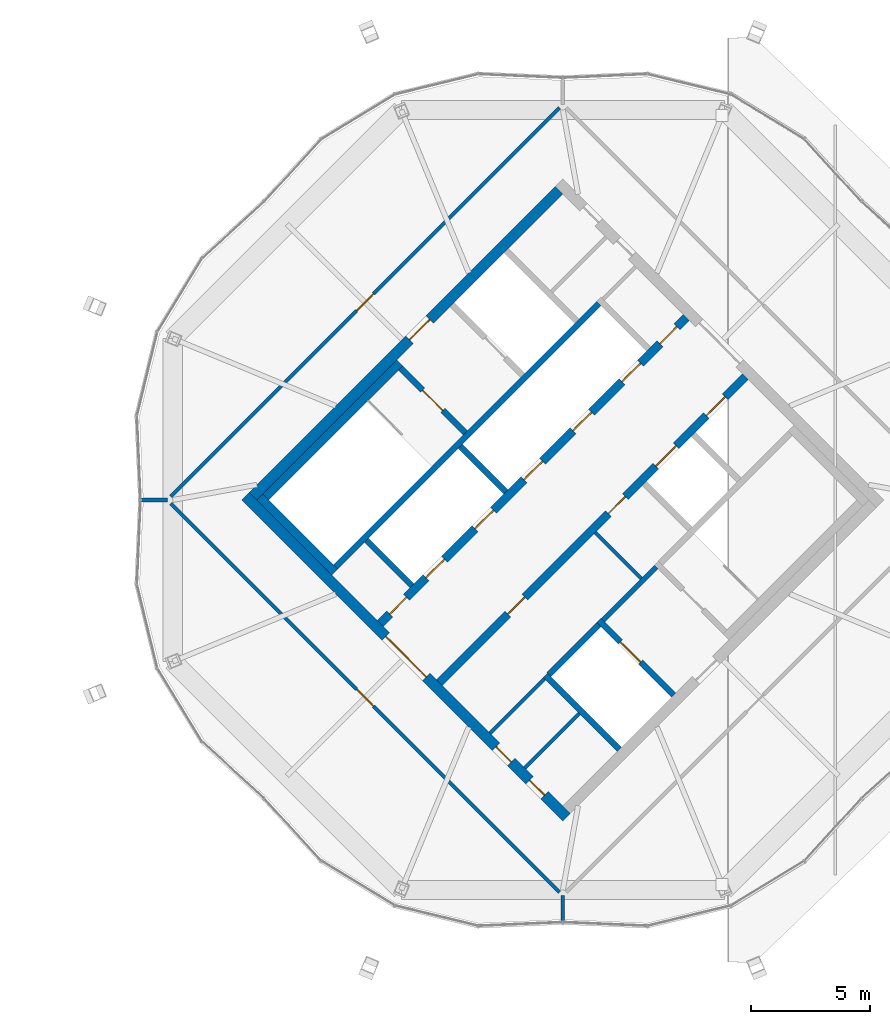
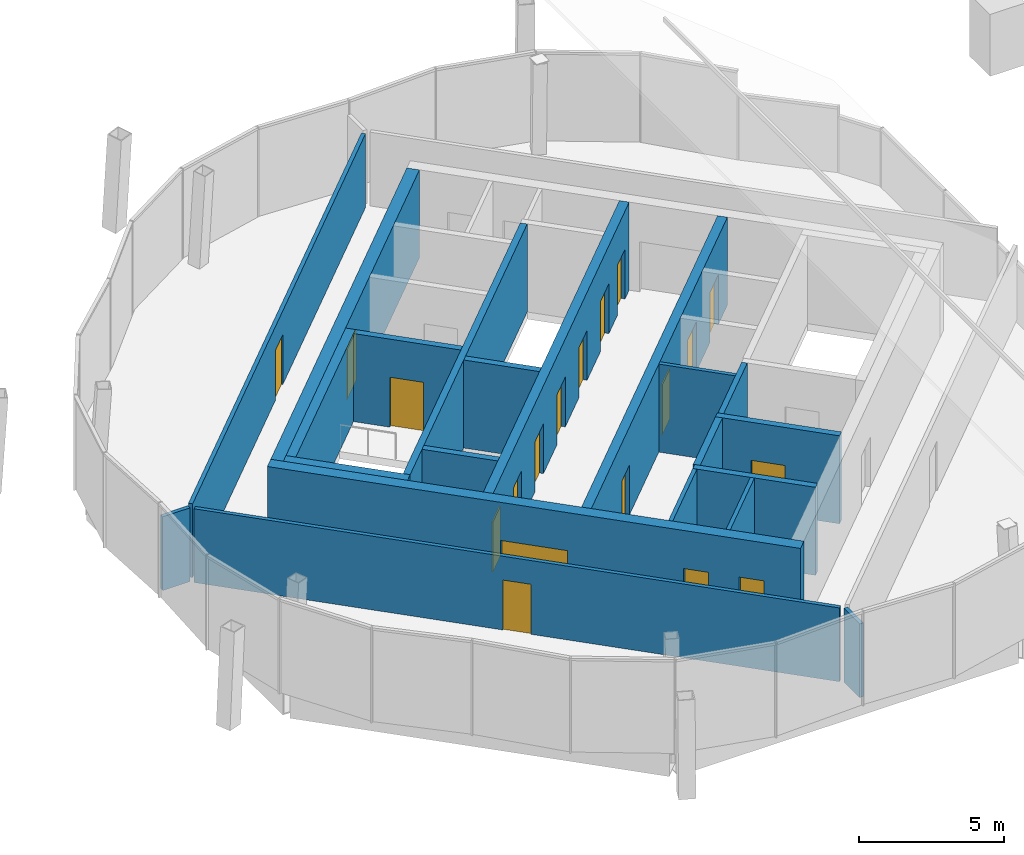
# One storey, part 21 of 23: 21 walls, 19 doors, 19 openings.
"""IFC4 building model written with IfcOpenShell, lengths in metres."""

from ifc_helpers import new_model, si_unit, direction, frame, frame_2d, origin, place, context, subcontext, project, spatial, rectangle, extrude, material, layer, layer_set, type_object, element, fill, save


model = new_model("IFC4")

# Units and contexts
model_context = context("Model", 3, precision=1e-05, world=origin(), true_north=direction((0.0, 1.0)))
body_context = subcontext(model_context, "Body", "Model", "MODEL_VIEW")
ifc_project = project(units=[si_unit("LENGTHUNIT", "METRE"), si_unit("AREAUNIT", "SQUARE_METRE"), si_unit("VOLUMEUNIT", "CUBIC_METRE"), si_unit("PLANEANGLEUNIT", "RADIAN"), si_unit("MASSUNIT", "GRAM", prefix="KILO")], contexts=[model_context])

# Site, building, storey
site_placement = place(None, origin())
site = spatial("IfcSite", under=ifc_project, at=site_placement, CompositionType="ELEMENT")
building_placement = place(site_placement, origin())
building = spatial("IfcBuilding", under=site, at=building_placement, Name="Ogive Gate Towers", CompositionType="ELEMENT")
storey_placement = place(building_placement, frame((0.0, 0.0, 302.0)))
storey = spatial("IfcBuildingStorey", under=building, at=storey_placement, Name="L71", CompositionType="ELEMENT", Elevation=302.0)

# Wall
ifc_material_1 = material(Name="Masonry blockwork", Category="masonry")
ifc_layer_1 = layer(ifc_material_1, 0.199951171875)
ifc_layer_set_1 = layer_set([ifc_layer_1], Name="Blockwork wall 200 mm")
wall_type_1 = type_object("IfcWallType", Name="Blockwork wall 200 mm", PredefinedType="PARTITIONING", material=ifc_layer_set_1)
wall_1_placement = place(storey_placement, frame((37.679443359375, -5.0380859375, 0.0), z_axis=(0.0, 0.0, 1.0), x_axis=(0.707106781187, 0.707106781187, 0.0)))
element("IfcWall", 1, at=wall_1_placement, inside=storey, type_object=wall_type_1, Name="T2 L71 Blockwork wall 200 mm", PredefinedType="PARTITIONING", context=body_context, shape_type="SweptSolid", body=[
    extrude(rectangle(XDim=3.14990234375, YDim=0.199951171875, at=frame_2d((1.574951171875, 0.0))), origin(), (0.0, 0.0, 1.0), 3.699951171875),
])

# Wall, opening, door
ifc_material_2 = material(Name="Concrete C60/75", Category="concrete")
ifc_layer_2 = layer(ifc_material_2, 0.449951171875)
ifc_layer_set_2 = layer_set([ifc_layer_2], Name="Core wall 450 mm")
wall_type_2 = type_object("IfcWallType", Name="Core wall 450 mm", PredefinedType="SHEAR", material=ifc_layer_set_2)
wall_2_placement = place(storey_placement, frame((23.042236328125, 0.1591796875, 0.0), z_axis=(0.0, 0.0, 1.0), x_axis=(0.707106781187, 0.707106781187, 0.0)))
wall_2 = element("IfcWall", 2, at=wall_2_placement, inside=storey, type_object=wall_type_2, Name="T2 L71 Core wall 450 mm", PredefinedType="SHEAR", context=body_context, shape_type="SweptSolid", body=[
    extrude(rectangle(XDim=18.099853515625, YDim=0.449951171875, at=frame_2d((9.0498046875, 0.0))), origin(), (0.0, 0.0, 1.0), 3.699951171875),
])
opening_1_placement = place(wall_2_placement, frame((9.25, 0.0, 0.0)))
opening_1 = element("IfcOpeningElement", 3, at=opening_1_placement, cuts=wall_2, Name="Opening KD-T2-L71-18", PredefinedType="OPENING", context=body_context, shape_type="SweptSolid", body=[
    extrude(rectangle(XDim=1.199951171875, YDim=2.10009765625, at=frame_2d((0.60009765625, 1.050048828125))), frame((0.0, 0.23486328125, 0.0), z_axis=(0.0, -1.0, 0.0), x_axis=(1.0, 0.0, 0.0)), (0.0, 0.0, 1.0), 0.469970703125),
])
ifc_material_3 = material(Name="Steel fire door", Category="steel")
door_type_1 = type_object("IfcDoorType", Name="Core door FD60S 1200 x 2100", OperationType="NOTDEFINED", PredefinedType="DOOR", material=ifc_material_3)
door_1_placement = place(opening_1_placement, origin())
door_1 = element("IfcDoor", 4, at=door_1_placement, inside=storey, type_object=door_type_1, Name="T2 L71 Fire-fighting lobby door", OperationType="SINGLE_SWING_LEFT", OverallHeight=2.10009765625, OverallWidth=1.199951171875, PredefinedType="DOOR", context=body_context, shape_type="SweptSolid", body=[
    extrude(rectangle(XDim=1.199951171875, YDim=2.10009765625, at=frame_2d((0.60009765625, 1.050048828125))), frame((0.0, 0.02490234375, 0.0), z_axis=(0.0, -1.0, 0.0), x_axis=(1.0, 0.0, 0.0)), (0.0, 0.0, 1.0), 0.050048828125),
])
fill(opening_1, door_1)

# Wall, openings, doors
wall_3_placement = place(storey_placement, frame((36.1591796875, -13.27587890625, 0.0), z_axis=(0.0, 0.0, 1.0), x_axis=(-0.707106781187, 0.707106781187, 0.0)))
wall_3 = element("IfcWall", 5, at=wall_3_placement, inside=storey, type_object=wall_type_2, Name="T2 L71 Core wall 450 mm", PredefinedType="SHEAR", context=body_context, shape_type="SweptSolid", body=[
    extrude(rectangle(XDim=19.0, YDim=0.449951171875, at=frame_2d((9.5, 0.0))), origin(), (0.0, 0.0, 1.0), 3.699951171875),
])
opening_2_placement = place(wall_3_placement, frame((8.300048828125, 0.0, 0.0)))
opening_2 = element("IfcOpeningElement", 6, at=opening_2_placement, cuts=wall_3, Name="Opening KD-T2-L71-01", PredefinedType="OPENING", context=body_context, shape_type="SweptSolid", body=[
    extrude(rectangle(XDim=2.39990234375, YDim=2.10009765625, at=frame_2d((1.199951171875, 1.050048828125))), frame((0.0, 0.23486328125, 0.0), z_axis=(0.0, -1.0, 0.0), x_axis=(1.0, 0.0, 0.0)), (0.0, 0.0, 1.0), 0.469970703125),
])
opening_3_placement = place(wall_3_placement, frame((1.300048828125, 0.0, 0.0)))
opening_3 = element("IfcOpeningElement", 7, at=opening_3_placement, cuts=wall_3, Name="Opening KD-T2-L71-22", PredefinedType="OPENING", context=body_context, shape_type="SweptSolid", body=[
    extrude(rectangle(XDim=0.89990234375, YDim=2.10009765625, at=frame_2d((0.449951171875, 1.050048828125))), frame((0.0, 0.23486328125, 0.0), z_axis=(0.0, -1.0, 0.0), x_axis=(1.0, 0.0, 0.0)), (0.0, 0.0, 1.0), 0.469970703125),
])
opening_4_placement = place(wall_3_placement, frame((3.27490234375, 0.0, 0.0)))
opening_4 = element("IfcOpeningElement", 8, at=opening_4_placement, cuts=wall_3, Name="Opening KD-T2-L71-23", PredefinedType="OPENING", context=body_context, shape_type="SweptSolid", body=[
    extrude(rectangle(XDim=0.89990234375, YDim=2.10009765625, at=frame_2d((0.449951171875, 1.050048828125))), frame((0.0, 0.23486328125, 0.0), z_axis=(0.0, -1.0, 0.0), x_axis=(1.0, 0.0, 0.0)), (0.0, 0.0, 1.0), 0.469970703125),
])
door_type_2 = type_object("IfcDoorType", Name="Core door FD60S 900 x 2100", OperationType="NOTDEFINED", PredefinedType="DOOR", material=ifc_material_3)
door_2_placement = place(opening_3_placement, origin())
door_2 = element("IfcDoor", 9, at=door_2_placement, inside=storey, type_object=door_type_2, Name="T2 L71 Core door", OperationType="SINGLE_SWING_LEFT", OverallHeight=2.10009765625, OverallWidth=0.89990234375, PredefinedType="DOOR", context=body_context, shape_type="SweptSolid", body=[
    extrude(rectangle(XDim=0.89990234375, YDim=2.10009765625, at=frame_2d((0.449951171875, 1.050048828125))), frame((0.0, 0.02490234375, 0.0), z_axis=(0.0, -1.0, 0.0), x_axis=(1.0, 0.0, 0.0)), (0.0, 0.0, 1.0), 0.050048828125),
])
fill(opening_3, door_2)
door_3_placement = place(opening_4_placement, origin())
door_3 = element("IfcDoor", 10, at=door_3_placement, inside=storey, type_object=door_type_2, Name="T2 L71 Core door", OperationType="SINGLE_SWING_RIGHT", OverallHeight=2.10009765625, OverallWidth=0.89990234375, PredefinedType="DOOR", context=body_context, shape_type="SweptSolid", body=[
    extrude(rectangle(XDim=0.89990234375, YDim=2.10009765625, at=frame_2d((0.449951171875, 1.050048828125))), frame((0.0, 0.02490234375, 0.0), z_axis=(0.0, -1.0, 0.0), x_axis=(1.0, 0.0, 0.0)), (0.0, 0.0, 1.0), 0.050048828125),
])
fill(opening_4, door_3)
door_type_3 = type_object("IfcDoorType", Name="Core double door FD60S 2400 x 2100", OperationType="DOUBLE_DOOR_SINGLE_SWING", PredefinedType="DOOR", material=ifc_material_3)
door_4_placement = place(opening_2_placement, origin())
door_4 = element("IfcDoor", 11, at=door_4_placement, inside=storey, type_object=door_type_3, Name="T2 L71 Core door double", OperationType="DOUBLE_DOOR_SINGLE_SWING", OverallHeight=2.10009765625, OverallWidth=2.39990234375, PredefinedType="DOOR", context=body_context, shape_type="SweptSolid", body=[
    extrude(rectangle(XDim=2.39990234375, YDim=2.10009765625, at=frame_2d((1.199951171875, 1.050048828125))), frame((0.0, 0.02490234375, 0.0), z_axis=(0.0, -1.0, 0.0), x_axis=(1.0, 0.0, 0.0)), (0.0, 0.0, 1.0), 0.050048828125),
])
fill(opening_2, door_4)

# Wall
ifc_material_4 = material(Name="Fire-rated gypsum board partition")
ifc_layer_3 = layer(ifc_material_4, 0.14990234375)
ifc_layer_set_3 = layer_set([ifc_layer_3], Name="Partition wall 150")
wall_type_3 = type_object("IfcWallType", Name="Partition wall 150", PredefinedType="PARTITIONING", material=ifc_layer_set_3)
wall_4_placement = place(storey_placement, frame((18.364990234375, 0.0, 0.0), z_axis=(0.0, 0.0, 1.0), x_axis=(1.0, 0.0, 0.0)))
element("IfcWall", 12, at=wall_4_placement, inside=storey, type_object=wall_type_3, Name="L71 partition 003", PredefinedType="PARTITIONING", context=body_context, shape_type="SweptSolid", body=[
    extrude(rectangle(XDim=1.088623046875, YDim=0.14990234375, at=frame_2d((0.54443359375, 0.0))), origin(), (0.0, 0.0, 1.0), 3.10009765625),
])

# Wall, opening, door
wall_5_placement = place(storey_placement, frame((35.858642578125, 16.40478515625, 0.0), z_axis=(0.0, 0.0, 1.0), x_axis=(-0.707106781187, -0.707106781187, 0.0)))
wall_5 = element("IfcWall", 13, at=wall_5_placement, inside=storey, type_object=wall_type_3, Name="L71 partition 004", PredefinedType="PARTITIONING", context=body_context, shape_type="SweptSolid", body=[
    extrude(rectangle(XDim=23.0, YDim=0.14990234375, at=frame_2d((11.5, 0.0))), origin(), (0.0, 0.0, 1.0), 3.10009765625),
])
opening_5_placement = place(wall_5_placement, frame((11.0, 0.0, 0.0)))
opening_5 = element("IfcOpeningElement", 14, at=opening_5_placement, cuts=wall_5, Name="Opening PO331", PredefinedType="OPENING", context=body_context, shape_type="SweptSolid", body=[
    extrude(rectangle(XDim=1.0, YDim=2.10009765625, at=frame_2d((0.5, 1.050048828125))), frame((0.0, 0.0849609375, 0.0), z_axis=(0.0, -1.0, 0.0), x_axis=(1.0, 0.0, 0.0)), (0.0, 0.0, 1.0), 0.169921875),
])
door_type_4 = type_object("IfcDoorType", Name="Interior fire door FD60S 1000 x 2100", OperationType="NOTDEFINED", PredefinedType="DOOR", material=ifc_material_3)
door_5_placement = place(opening_5_placement, origin())
door_5 = element("IfcDoor", 15, at=door_5_placement, inside=storey, type_object=door_type_4, Name="Door PO331", OperationType="SINGLE_SWING_LEFT", OverallHeight=2.10009765625, OverallWidth=1.0, PredefinedType="DOOR", context=body_context, shape_type="SweptSolid", body=[
    extrude(rectangle(XDim=1.0, YDim=2.10009765625, at=frame_2d((0.5, 1.050048828125))), frame((0.0, 0.02490234375, 0.0), z_axis=(0.0, -1.0, 0.0), x_axis=(1.0, 0.0, 0.0)), (0.0, 0.0, 1.0), 0.050048828125),
])
fill(opening_5, door_5)

# Wall
wall_6_placement = place(storey_placement, frame((36.0, -17.635009765625, 0.0), z_axis=(0.0, 0.0, 1.0), x_axis=(0.0, 1.0, 0.0)))
element("IfcWall", 16, at=wall_6_placement, inside=storey, type_object=wall_type_3, Name="L71 partition 005", PredefinedType="PARTITIONING", context=body_context, shape_type="SweptSolid", body=[
    extrude(rectangle(XDim=1.088623046875, YDim=0.14990234375, at=frame_2d((0.54443359375, 0.0))), origin(), (0.0, 0.0, 1.0), 3.10009765625),
])

# Wall, opening, door
wall_7_placement = place(storey_placement, frame((19.59521484375, -0.141357421875, 0.0), z_axis=(0.0, 0.0, 1.0), x_axis=(0.707106781187, -0.707106781187, 0.0)))
wall_7 = element("IfcWall", 17, at=wall_7_placement, inside=storey, type_object=wall_type_3, Name="L71 partition 006", PredefinedType="PARTITIONING", context=body_context, shape_type="SweptSolid", body=[
    extrude(rectangle(XDim=23.0, YDim=0.14990234375, at=frame_2d((11.5, 0.0))), origin(), (0.0, 0.0, 1.0), 3.10009765625),
])
opening_6_placement = place(wall_7_placement, frame((11.0, 0.0, 0.0)))
opening_6 = element("IfcOpeningElement", 18, at=opening_6_placement, cuts=wall_7, Name="Opening PO332", PredefinedType="OPENING", context=body_context, shape_type="SweptSolid", body=[
    extrude(rectangle(XDim=1.0, YDim=2.10009765625, at=frame_2d((0.5, 1.050048828125))), frame((0.0, 0.0849609375, 0.0), z_axis=(0.0, -1.0, 0.0), x_axis=(1.0, 0.0, 0.0)), (0.0, 0.0, 1.0), 0.169921875),
])
door_6_placement = place(opening_6_placement, origin())
door_6 = element("IfcDoor", 19, at=door_6_placement, inside=storey, type_object=door_type_4, Name="Door PO332", OperationType="SINGLE_SWING_RIGHT", OverallHeight=2.10009765625, OverallWidth=1.0, PredefinedType="DOOR", context=body_context, shape_type="SweptSolid", body=[
    extrude(rectangle(XDim=1.0, YDim=2.10009765625, at=frame_2d((0.5, 1.050048828125))), frame((0.0, 0.02490234375, 0.0), z_axis=(0.0, -1.0, 0.0), x_axis=(1.0, 0.0, 0.0)), (0.0, 0.0, 1.0), 0.050048828125),
])
fill(opening_6, door_6)

# Walls
ifc_material_5 = material(Name="Gypsum board partition")
ifc_layer_4 = layer(ifc_material_5, 0.14990234375)
ifc_layer_set_4 = layer_set([ifc_layer_4], Name="Room partition 150 mm")
wall_type_4 = type_object("IfcWallType", Name="Room partition 150 mm", PredefinedType="PARTITIONING", material=ifc_layer_set_4)
for number, where, z_axis, x_axis, name in (
    (20, (34.408935546875, -11.20751953125, 0.0), (0.0, 0.0, 1.0), (0.707144631829, 0.707068928518, 0.0), "T2 L71 Room partition 150 mm"),
    (21, (32.95947265625, -9.758056640625, 0.0), (0.0, 0.0, 1.0), (0.707144631829, 0.707068928518, 0.0), "T2 L71 Room partition 150 mm"),
):
    element("IfcWall", number, at=place(storey_placement, frame(where, z_axis=z_axis, x_axis=x_axis)), inside=storey, type_object=wall_type_4, Name=name, PredefinedType="PARTITIONING", context=body_context, shape_type="SweptSolid", body=[
        extrude(rectangle(XDim=3.224853515625, YDim=0.14990234375, at=frame_2d((1.6123046875, 0.0))), origin(), (0.0, 0.0, 1.0), 3.699951171875),
    ])
wall_8_placement = place(storey_placement, frame((39.2880859375, -3.2880859375, 0.0), z_axis=(0.0, 0.0, 1.0), x_axis=(-0.707106781187, 0.707106781187, 0.0)))
element("IfcWall", 22, at=wall_8_placement, inside=storey, type_object=wall_type_4, Name="T2 L71 Room partition 150 mm", PredefinedType="PARTITIONING", context=body_context, shape_type="SweptSolid", body=[
    extrude(rectangle(XDim=2.72509765625, YDim=0.14990234375, at=frame_2d((1.362548828125, 0.0))), origin(), (0.0, 0.0, 1.0), 3.699951171875),
])
ifc_layer_5 = layer(ifc_material_2, 0.25)
ifc_layer_set_5 = layer_set([ifc_layer_5], Name="Shaft wall 250 mm")
wall_type_5 = type_object("IfcWallType", Name="Shaft wall 250 mm", PredefinedType="SHEAR", material=ifc_layer_set_5)
wall_9_placement = place(storey_placement, frame((35.41650390625, -7.30078125, 0.0), z_axis=(0.0, 0.0, 1.0), x_axis=(0.707148157867, 0.707065402085, 0.0)))
element("IfcWall", 23, at=wall_9_placement, inside=storey, type_object=wall_type_5, Name="T2 L71 Shaft wall 250 mm", PredefinedType="SHEAR", context=body_context, shape_type="SweptSolid", body=[
    extrude(rectangle(XDim=2.9501953125, YDim=0.25, at=frame_2d((1.47509765625, 0.0))), origin(), (0.0, 0.0, 1.0), 3.699951171875),
])
wall_10_placement = place(storey_placement, frame((26.489501953125, -2.793212890625, 0.0), z_axis=(0.0, 0.0, 1.0), x_axis=(0.707098943647, 0.70711461864, 0.0)))
element("IfcWall", 24, at=wall_10_placement, inside=storey, type_object=wall_type_5, Name="T2 L71 Shaft wall 250 mm", PredefinedType="SHEAR", context=body_context, shape_type="SweptSolid", body=[
    extrude(rectangle(XDim=15.5751953125, YDim=0.25, at=frame_2d((7.78759765625, 0.0))), origin(), (0.0, 0.0, 1.0), 3.699951171875),
])
wall_11_placement = place(storey_placement, frame((29.689208984375, -3.588623046875, 0.0), z_axis=(0.0, 0.0, 1.0), x_axis=(-0.707151988282, 0.707061571201, 0.0)))
element("IfcWall", 25, at=wall_11_placement, inside=storey, type_object=wall_type_5, Name="T2 L71 Shaft wall 250 mm", PredefinedType="SHEAR", context=body_context, shape_type="SweptSolid", body=[
    extrude(rectangle(XDim=2.7001953125, YDim=0.25, at=frame_2d((1.35009765625, 0.0))), origin(), (0.0, 0.0, 1.0), 3.699951171875),
])
wall_12_placement = place(storey_placement, frame((38.368896484375, -10.4296875, 0.0), z_axis=(0.0, 0.0, 1.0), x_axis=(-0.707134682099, 0.707078879173, 0.0)))
element("IfcWall", 26, at=wall_12_placement, inside=storey, type_object=wall_type_5, Name="T2 L71 Shaft wall 250 mm", PredefinedType="SHEAR", context=body_context, shape_type="SweptSolid", body=[
    extrude(rectangle(XDim=4.375, YDim=0.25, at=frame_2d((2.1875, 0.0))), origin(), (0.0, 0.0, 1.0), 3.699951171875),
])

# Wall, opening, door
wall_13_placement = place(storey_placement, frame((40.631591796875, -8.1669921875, 0.0), z_axis=(0.0, 0.0, 1.0), x_axis=(-0.707106781187, 0.707106781187, 0.0)))
wall_13 = element("IfcWall", 27, at=wall_13_placement, inside=storey, type_object=wall_type_5, Name="T2 L71 Shaft wall 250 mm", PredefinedType="SHEAR", context=body_context, shape_type="SweptSolid", body=[
    extrude(rectangle(XDim=4.425048828125, YDim=0.25, at=frame_2d((2.21240234375, 0.0))), origin(), (0.0, 0.0, 1.0), 3.699951171875),
])
opening_7_placement = place(wall_13_placement, frame((1.949951171875, 0.0, 0.0)))
opening_7 = element("IfcOpeningElement", 28, at=opening_7_placement, cuts=wall_13, Name="Opening LD-T2-L71-13", PredefinedType="OPENING", context=body_context, shape_type="SweptSolid", body=[
    extrude(rectangle(XDim=1.199951171875, YDim=2.10009765625, at=frame_2d((0.60009765625, 1.050048828125))), frame((0.0, 0.135009765625, 0.0), z_axis=(0.0, -1.0, 0.0), x_axis=(1.0, 0.0, 0.0)), (0.0, 0.0, 1.0), 0.27001953125),
])
ifc_material_6 = material(Name="Stainless steel landing door", Category="steel")
door_type_5 = type_object("IfcDoorType", Name="Landing door 1200 x 2100", OperationType="SLIDING_TO_LEFT", PredefinedType="DOOR", material=ifc_material_6)
door_7_placement = place(opening_7_placement, origin())
door_7 = element("IfcDoor", 29, at=door_7_placement, inside=storey, type_object=door_type_5, Name="T2 L71 Lift landing door FF2", OperationType="SLIDING_TO_LEFT", OverallHeight=2.10009765625, OverallWidth=1.199951171875, PredefinedType="DOOR", context=body_context, shape_type="SweptSolid", body=[
    extrude(rectangle(XDim=1.199951171875, YDim=2.10009765625, at=frame_2d((0.60009765625, 1.050048828125))), frame((0.0, 0.02490234375, 0.0), z_axis=(0.0, -1.0, 0.0), x_axis=(1.0, 0.0, 0.0)), (0.0, 0.0, 1.0), 0.050048828125),
])
fill(opening_7, door_7)

# Wall
wall_14_placement = place(storey_placement, frame((33.613525390625, 0.3359375, 0.0), z_axis=(0.0, 0.0, 1.0), x_axis=(-0.707106781187, 0.707106781187, 0.0)))
element("IfcWall", 30, at=wall_14_placement, inside=storey, type_object=wall_type_5, Name="T2 L71 Shaft wall 250 mm", PredefinedType="SHEAR", context=body_context, shape_type="SweptSolid", body=[
    extrude(rectangle(XDim=2.699951171875, YDim=0.25, at=frame_2d((1.35009765625, 0.0))), origin(), (0.0, 0.0, 1.0), 3.699951171875),
])

# Wall, opening, door
wall_15_placement = place(storey_placement, frame((31.91650390625, 2.810791015625, 0.0), z_axis=(0.0, 0.0, 1.0), x_axis=(-0.707106781187, 0.707106781187, 0.0)))
wall_15 = element("IfcWall", 31, at=wall_15_placement, inside=storey, type_object=wall_type_5, Name="T2 L71 Shaft wall 250 mm", PredefinedType="SHEAR", context=body_context, shape_type="SweptSolid", body=[
    extrude(rectangle(XDim=3.824951171875, YDim=0.25, at=frame_2d((1.91259765625, 0.0))), origin(), (0.0, 0.0, 1.0), 3.699951171875),
])
opening_8_placement = place(wall_15_placement, frame((1.324951171875, 0.0, 0.0)))
opening_8 = element("IfcOpeningElement", 32, at=opening_8_placement, cuts=wall_15, Name="Opening KD-T2-L71-16", PredefinedType="OPENING", context=body_context, shape_type="SweptSolid", body=[
    extrude(rectangle(XDim=1.199951171875, YDim=2.10009765625, at=frame_2d((0.60009765625, 1.050048828125))), frame((0.0, 0.135009765625, 0.0), z_axis=(0.0, -1.0, 0.0), x_axis=(1.0, 0.0, 0.0)), (0.0, 0.0, 1.0), 0.27001953125),
])
door_8_placement = place(opening_8_placement, origin())
door_8 = element("IfcDoor", 33, at=door_8_placement, inside=storey, type_object=door_type_1, Name="T2 L71 Stair door", OperationType="SINGLE_SWING_LEFT", OverallHeight=2.10009765625, OverallWidth=1.199951171875, PredefinedType="DOOR", context=body_context, shape_type="SweptSolid", body=[
    extrude(rectangle(XDim=1.199951171875, YDim=2.10009765625, at=frame_2d((0.60009765625, 1.050048828125))), frame((0.0, 0.02490234375, 0.0), z_axis=(0.0, -1.0, 0.0), x_axis=(1.0, 0.0, 0.0)), (0.0, 0.0, 1.0), 0.050048828125),
])
fill(opening_8, door_8)

# Wall, openings, doors
ifc_layer_6 = layer(ifc_material_2, 0.35009765625)
ifc_layer_set_6 = layer_set([ifc_layer_6], Name="Spine wall 350 mm")
wall_type_6 = type_object("IfcWallType", Name="Spine wall 350 mm", PredefinedType="SHEAR", material=ifc_layer_set_6)
wall_16_placement = place(storey_placement, frame((30.838134765625, -7.63671875, 0.0), z_axis=(0.0, 0.0, 1.0), x_axis=(0.707106781187, 0.707106781187, 0.0)))
wall_16 = element("IfcWall", 34, at=wall_16_placement, inside=storey, type_object=wall_type_6, Name="T2 L71 Spine wall 350 mm", PredefinedType="SHEAR", context=body_context, shape_type="SweptSolid", body=[
    extrude(rectangle(XDim=18.099853515625, YDim=0.35009765625, at=frame_2d((9.0498046875, 0.0))), origin(), (0.0, 0.0, 1.0), 3.699951171875),
])
opening_9_placement = place(wall_16_placement, frame((12.800048828125, 0.0, 0.0)))
opening_9 = element("IfcOpeningElement", 35, at=opening_9_placement, cuts=wall_16, Name="Opening LD-T2-L71-10", PredefinedType="OPENING", context=body_context, shape_type="SweptSolid", body=[
    extrude(rectangle(XDim=1.199951171875, YDim=2.10009765625, at=frame_2d((0.60009765625, 1.050048828125))), frame((0.0, 0.18505859375, 0.0), z_axis=(0.0, -1.0, 0.0), x_axis=(1.0, 0.0, 0.0)), (0.0, 0.0, 1.0), 0.3701171875),
])
opening_10_placement = place(wall_16_placement, frame((15.800048828125, 0.0, 0.0)))
opening_10 = element("IfcOpeningElement", 36, at=opening_10_placement, cuts=wall_16, Name="Opening LD-T2-L71-11", PredefinedType="OPENING", context=body_context, shape_type="SweptSolid", body=[
    extrude(rectangle(XDim=1.10009765625, YDim=2.10009765625, at=frame_2d((0.550048828125, 1.050048828125))), frame((0.0, 0.18505859375, 0.0), z_axis=(0.0, -1.0, 0.0), x_axis=(1.0, 0.0, 0.0)), (0.0, 0.0, 1.0), 0.3701171875),
])
opening_11_placement = place(wall_16_placement, frame((4.050048828125, 0.0, 0.0)))
opening_11 = element("IfcOpeningElement", 37, at=opening_11_placement, cuts=wall_16, Name="Opening KD-T2-L71-14", PredefinedType="OPENING", context=body_context, shape_type="SweptSolid", body=[
    extrude(rectangle(XDim=1.0, YDim=2.10009765625, at=frame_2d((0.5, 1.050048828125))), frame((0.0, 0.18505859375, 0.0), z_axis=(0.0, -1.0, 0.0), x_axis=(1.0, 0.0, 0.0)), (0.0, 0.0, 1.0), 0.3701171875),
])
opening_12_placement = place(wall_16_placement, frame((10.0, 0.0, 0.0)))
opening_12 = element("IfcOpeningElement", 38, at=opening_12_placement, cuts=wall_16, Name="Opening KD-T2-L71-15", PredefinedType="OPENING", context=body_context, shape_type="SweptSolid", body=[
    extrude(rectangle(XDim=1.0, YDim=2.10009765625, at=frame_2d((0.5, 1.050048828125))), frame((0.0, 0.18505859375, 0.0), z_axis=(0.0, -1.0, 0.0), x_axis=(1.0, 0.0, 0.0)), (0.0, 0.0, 1.0), 0.3701171875),
])
door_type_6 = type_object("IfcDoorType", Name="Core door FD60S 1000 x 2100", OperationType="NOTDEFINED", PredefinedType="DOOR", material=ifc_material_3)
door_9_placement = place(opening_11_placement, origin())
door_9 = element("IfcDoor", 39, at=door_9_placement, inside=storey, type_object=door_type_6, Name="T2 L71 Core door", OperationType="SINGLE_SWING_LEFT", OverallHeight=2.10009765625, OverallWidth=1.0, PredefinedType="DOOR", context=body_context, shape_type="SweptSolid", body=[
    extrude(rectangle(XDim=1.0, YDim=2.10009765625, at=frame_2d((0.5, 1.050048828125))), frame((0.0, 0.02490234375, 0.0), z_axis=(0.0, -1.0, 0.0), x_axis=(1.0, 0.0, 0.0)), (0.0, 0.0, 1.0), 0.050048828125),
])
fill(opening_11, door_9)
door_10_placement = place(opening_12_placement, origin())
door_10 = element("IfcDoor", 40, at=door_10_placement, inside=storey, type_object=door_type_6, Name="T2 L71 Core door", OperationType="SINGLE_SWING_RIGHT", OverallHeight=2.10009765625, OverallWidth=1.0, PredefinedType="DOOR", context=body_context, shape_type="SweptSolid", body=[
    extrude(rectangle(XDim=1.0, YDim=2.10009765625, at=frame_2d((0.5, 1.050048828125))), frame((0.0, 0.02490234375, 0.0), z_axis=(0.0, -1.0, 0.0), x_axis=(1.0, 0.0, 0.0)), (0.0, 0.0, 1.0), 0.050048828125),
])
fill(opening_12, door_10)
door_type_7 = type_object("IfcDoorType", Name="Landing door 1100 x 2100", OperationType="SLIDING_TO_LEFT", PredefinedType="DOOR", material=ifc_material_6)
door_11_placement = place(opening_10_placement, origin())
door_11 = element("IfcDoor", 41, at=door_11_placement, inside=storey, type_object=door_type_7, Name="T2 L71 Lift landing door B6", OperationType="SLIDING_TO_LEFT", OverallHeight=2.10009765625, OverallWidth=1.10009765625, PredefinedType="DOOR", context=body_context, shape_type="SweptSolid", body=[
    extrude(rectangle(XDim=1.10009765625, YDim=2.10009765625, at=frame_2d((0.550048828125, 1.050048828125))), frame((0.0, 0.02490234375, 0.0), z_axis=(0.0, -1.0, 0.0), x_axis=(1.0, 0.0, 0.0)), (0.0, 0.0, 1.0), 0.050048828125),
])
fill(opening_10, door_11)
door_12_placement = place(opening_9_placement, origin())
door_12 = element("IfcDoor", 42, at=door_12_placement, inside=storey, type_object=door_type_5, Name="T2 L71 Lift landing door SVC", OperationType="SLIDING_TO_LEFT", OverallHeight=2.10009765625, OverallWidth=1.199951171875, PredefinedType="DOOR", context=body_context, shape_type="SweptSolid", body=[
    extrude(rectangle(XDim=1.199951171875, YDim=2.10009765625, at=frame_2d((0.60009765625, 1.050048828125))), frame((0.0, 0.02490234375, 0.0), z_axis=(0.0, -1.0, 0.0), x_axis=(1.0, 0.0, 0.0)), (0.0, 0.0, 1.0), 0.050048828125),
])
fill(opening_9, door_12)

wall_17_placement = place(storey_placement, frame((28.36328125, -5.161865234375, 0.0), z_axis=(0.0, 0.0, 1.0), x_axis=(0.707106781187, 0.707106781187, 0.0)))
wall_17 = element("IfcWall", 43, at=wall_17_placement, inside=storey, type_object=wall_type_6, Name="T2 L71 Spine wall 350 mm", PredefinedType="SHEAR", context=body_context, shape_type="SweptSolid", body=[
    extrude(rectangle(XDim=18.099853515625, YDim=0.35009765625, at=frame_2d((9.0498046875, 0.0))), origin(), (0.0, 0.0, 1.0), 3.699951171875),
])
opening_13_placement = place(wall_17_placement, frame((0.550048828125, 0.0, 0.0)))
opening_13 = element("IfcOpeningElement", 44, at=opening_13_placement, cuts=wall_17, Name="Opening KD-T2-L71-03", PredefinedType="OPENING", context=body_context, shape_type="SweptSolid", body=[
    extrude(rectangle(XDim=1.0, YDim=2.10009765625, at=frame_2d((0.5, 1.050048828125))), frame((0.0, 0.18505859375, 0.0), z_axis=(0.0, -1.0, 0.0), x_axis=(1.0, 0.0, 0.0)), (0.0, 0.0, 1.0), 0.3701171875),
])
opening_14_placement = place(wall_17_placement, frame((2.699951171875, 0.0, 0.0)))
opening_14 = element("IfcOpeningElement", 45, at=opening_14_placement, cuts=wall_17, Name="Opening LD-T2-L71-04", PredefinedType="OPENING", context=body_context, shape_type="SweptSolid", body=[
    extrude(rectangle(XDim=1.10009765625, YDim=2.10009765625, at=frame_2d((0.550048828125, 1.050048828125))), frame((0.0, 0.18505859375, 0.0), z_axis=(0.0, -1.0, 0.0), x_axis=(1.0, 0.0, 0.0)), (0.0, 0.0, 1.0), 0.3701171875),
])
opening_15_placement = place(wall_17_placement, frame((5.60009765625, 0.0, 0.0)))
opening_15 = element("IfcOpeningElement", 46, at=opening_15_placement, cuts=wall_17, Name="Opening LD-T2-L71-05", PredefinedType="OPENING", context=body_context, shape_type="SweptSolid", body=[
    extrude(rectangle(XDim=1.10009765625, YDim=2.10009765625, at=frame_2d((0.550048828125, 1.050048828125))), frame((0.0, 0.18505859375, 0.0), z_axis=(0.0, -1.0, 0.0), x_axis=(1.0, 0.0, 0.0)), (0.0, 0.0, 1.0), 0.3701171875),
])
opening_16_placement = place(wall_17_placement, frame((8.5, 0.0, 0.0)))
opening_16 = element("IfcOpeningElement", 47, at=opening_16_placement, cuts=wall_17, Name="Opening LD-T2-L71-06", PredefinedType="OPENING", context=body_context, shape_type="SweptSolid", body=[
    extrude(rectangle(XDim=1.10009765625, YDim=2.10009765625, at=frame_2d((0.550048828125, 1.050048828125))), frame((0.0, 0.18505859375, 0.0), z_axis=(0.0, -1.0, 0.0), x_axis=(1.0, 0.0, 0.0)), (0.0, 0.0, 1.0), 0.3701171875),
])
opening_17_placement = place(wall_17_placement, frame((11.39990234375, 0.0, 0.0)))
opening_17 = element("IfcOpeningElement", 48, at=opening_17_placement, cuts=wall_17, Name="Opening LD-T2-L71-07", PredefinedType="OPENING", context=body_context, shape_type="SweptSolid", body=[
    extrude(rectangle(XDim=1.10009765625, YDim=2.10009765625, at=frame_2d((0.550048828125, 1.050048828125))), frame((0.0, 0.18505859375, 0.0), z_axis=(0.0, -1.0, 0.0), x_axis=(1.0, 0.0, 0.0)), (0.0, 0.0, 1.0), 0.3701171875),
])
opening_18_placement = place(wall_17_placement, frame((14.300048828125, 0.0, 0.0)))
opening_18 = element("IfcOpeningElement", 49, at=opening_18_placement, cuts=wall_17, Name="Opening LD-T2-L71-08", PredefinedType="OPENING", context=body_context, shape_type="SweptSolid", body=[
    extrude(rectangle(XDim=1.10009765625, YDim=2.10009765625, at=frame_2d((0.550048828125, 1.050048828125))), frame((0.0, 0.18505859375, 0.0), z_axis=(0.0, -1.0, 0.0), x_axis=(1.0, 0.0, 0.0)), (0.0, 0.0, 1.0), 0.3701171875),
])
opening_19_placement = place(wall_17_placement, frame((16.550048828125, 0.0, 0.0)))
opening_19 = element("IfcOpeningElement", 50, at=opening_19_placement, cuts=wall_17, Name="Opening KD-T2-L71-09", PredefinedType="OPENING", context=body_context, shape_type="SweptSolid", body=[
    extrude(rectangle(XDim=1.0, YDim=2.10009765625, at=frame_2d((0.5, 1.050048828125))), frame((0.0, 0.18505859375, 0.0), z_axis=(0.0, -1.0, 0.0), x_axis=(1.0, 0.0, 0.0)), (0.0, 0.0, 1.0), 0.3701171875),
])
door_13_placement = place(opening_13_placement, origin())
door_13 = element("IfcDoor", 51, at=door_13_placement, inside=storey, type_object=door_type_6, Name="T2 L71 Core door", OperationType="SINGLE_SWING_RIGHT", OverallHeight=2.10009765625, OverallWidth=1.0, PredefinedType="DOOR", context=body_context, shape_type="SweptSolid", body=[
    extrude(rectangle(XDim=1.0, YDim=2.10009765625, at=frame_2d((0.5, 1.050048828125))), frame((0.0, 0.02490234375, 0.0), z_axis=(0.0, -1.0, 0.0), x_axis=(1.0, 0.0, 0.0)), (0.0, 0.0, 1.0), 0.050048828125),
])
fill(opening_13, door_13)
door_14_placement = place(opening_19_placement, origin())
door_14 = element("IfcDoor", 52, at=door_14_placement, inside=storey, type_object=door_type_6, Name="T2 L71 Core door", OperationType="SINGLE_SWING_RIGHT", OverallHeight=2.10009765625, OverallWidth=1.0, PredefinedType="DOOR", context=body_context, shape_type="SweptSolid", body=[
    extrude(rectangle(XDim=1.0, YDim=2.10009765625, at=frame_2d((0.5, 1.050048828125))), frame((0.0, 0.02490234375, 0.0), z_axis=(0.0, -1.0, 0.0), x_axis=(1.0, 0.0, 0.0)), (0.0, 0.0, 1.0), 0.050048828125),
])
fill(opening_19, door_14)
door_15_placement = place(opening_14_placement, origin())
door_15 = element("IfcDoor", 53, at=door_15_placement, inside=storey, type_object=door_type_7, Name="T2 L71 Lift landing door B1", OperationType="SLIDING_TO_LEFT", OverallHeight=2.10009765625, OverallWidth=1.10009765625, PredefinedType="DOOR", context=body_context, shape_type="SweptSolid", body=[
    extrude(rectangle(XDim=1.10009765625, YDim=2.10009765625, at=frame_2d((0.550048828125, 1.050048828125))), frame((0.0, 0.02490234375, 0.0), z_axis=(0.0, -1.0, 0.0), x_axis=(1.0, 0.0, 0.0)), (0.0, 0.0, 1.0), 0.050048828125),
])
fill(opening_14, door_15)
door_16_placement = place(opening_15_placement, origin())
door_16 = element("IfcDoor", 54, at=door_16_placement, inside=storey, type_object=door_type_7, Name="T2 L71 Lift landing door B2", OperationType="SLIDING_TO_LEFT", OverallHeight=2.10009765625, OverallWidth=1.10009765625, PredefinedType="DOOR", context=body_context, shape_type="SweptSolid", body=[
    extrude(rectangle(XDim=1.10009765625, YDim=2.10009765625, at=frame_2d((0.550048828125, 1.050048828125))), frame((0.0, 0.02490234375, 0.0), z_axis=(0.0, -1.0, 0.0), x_axis=(1.0, 0.0, 0.0)), (0.0, 0.0, 1.0), 0.050048828125),
])
fill(opening_15, door_16)
door_17_placement = place(opening_16_placement, origin())
door_17 = element("IfcDoor", 55, at=door_17_placement, inside=storey, type_object=door_type_7, Name="T2 L71 Lift landing door B3", OperationType="SLIDING_TO_LEFT", OverallHeight=2.10009765625, OverallWidth=1.10009765625, PredefinedType="DOOR", context=body_context, shape_type="SweptSolid", body=[
    extrude(rectangle(XDim=1.10009765625, YDim=2.10009765625, at=frame_2d((0.550048828125, 1.050048828125))), frame((0.0, 0.02490234375, 0.0), z_axis=(0.0, -1.0, 0.0), x_axis=(1.0, 0.0, 0.0)), (0.0, 0.0, 1.0), 0.050048828125),
])
fill(opening_16, door_17)
door_18_placement = place(opening_17_placement, origin())
door_18 = element("IfcDoor", 56, at=door_18_placement, inside=storey, type_object=door_type_7, Name="T2 L71 Lift landing door B4", OperationType="SLIDING_TO_LEFT", OverallHeight=2.10009765625, OverallWidth=1.10009765625, PredefinedType="DOOR", context=body_context, shape_type="SweptSolid", body=[
    extrude(rectangle(XDim=1.10009765625, YDim=2.10009765625, at=frame_2d((0.550048828125, 1.050048828125))), frame((0.0, 0.02490234375, 0.0), z_axis=(0.0, -1.0, 0.0), x_axis=(1.0, 0.0, 0.0)), (0.0, 0.0, 1.0), 0.050048828125),
])
fill(opening_17, door_18)
door_19_placement = place(opening_18_placement, origin())
door_19 = element("IfcDoor", 57, at=door_19_placement, inside=storey, type_object=door_type_7, Name="T2 L71 Lift landing door B5", OperationType="SLIDING_TO_LEFT", OverallHeight=2.10009765625, OverallWidth=1.10009765625, PredefinedType="DOOR", context=body_context, shape_type="SweptSolid", body=[
    extrude(rectangle(XDim=1.10009765625, YDim=2.10009765625, at=frame_2d((0.550048828125, 1.050048828125))), frame((0.0, 0.02490234375, 0.0), z_axis=(0.0, -1.0, 0.0), x_axis=(1.0, 0.0, 0.0)), (0.0, 0.0, 1.0), 0.050048828125),
])
fill(opening_18, door_19)

# Walls
ifc_layer_7 = layer(ifc_material_2, 0.35009765625)
ifc_layer_set_7 = layer_set([ifc_layer_7], Name="Stair wall 350 mm")
wall_type_7 = type_object("IfcWallType", Name="Stair wall 350 mm", PredefinedType="SHEAR", material=ifc_layer_set_7)
wall_18_placement = place(storey_placement, frame((23.572509765625, 0.123779296875, 0.0), z_axis=(0.0, 0.0, 1.0), x_axis=(0.707122184046, 0.707091377991, 0.0)))
element("IfcWall", 58, at=wall_18_placement, inside=storey, type_object=wall_type_7, Name="T2 L71 Stair wall 350 mm", PredefinedType="SHEAR", context=body_context, shape_type="SweptSolid", body=[
    extrude(rectangle(XDim=7.925048828125, YDim=0.35009765625, at=frame_2d((3.96240234375, 0.0))), origin(), (0.0, 0.0, 1.0), 3.699951171875),
])
wall_19_placement = place(storey_placement, frame((26.4541015625, -3.005126953125, 0.0), z_axis=(0.0, 0.0, 1.0), x_axis=(-0.707106781187, 0.707106781187, 0.0)))
element("IfcWall", 59, at=wall_19_placement, inside=storey, type_object=wall_type_7, Name="T2 L71 Stair wall 350 mm", PredefinedType="SHEAR", context=body_context, shape_type="SweptSolid", body=[
    extrude(rectangle(XDim=4.425048828125, YDim=0.35009765625, at=frame_2d((2.21240234375, 0.0))), origin(), (0.0, 0.0, 1.0), 3.699951171875),
])

save(model, "model.ifc")
